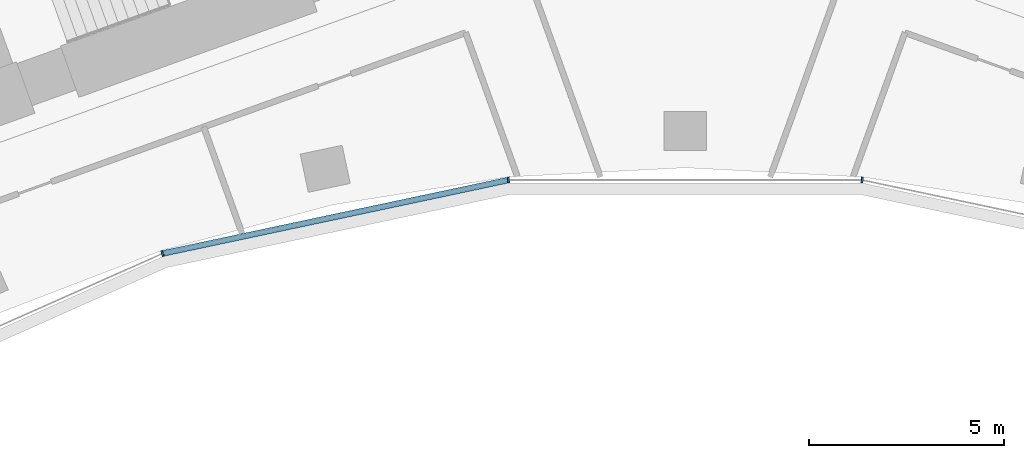
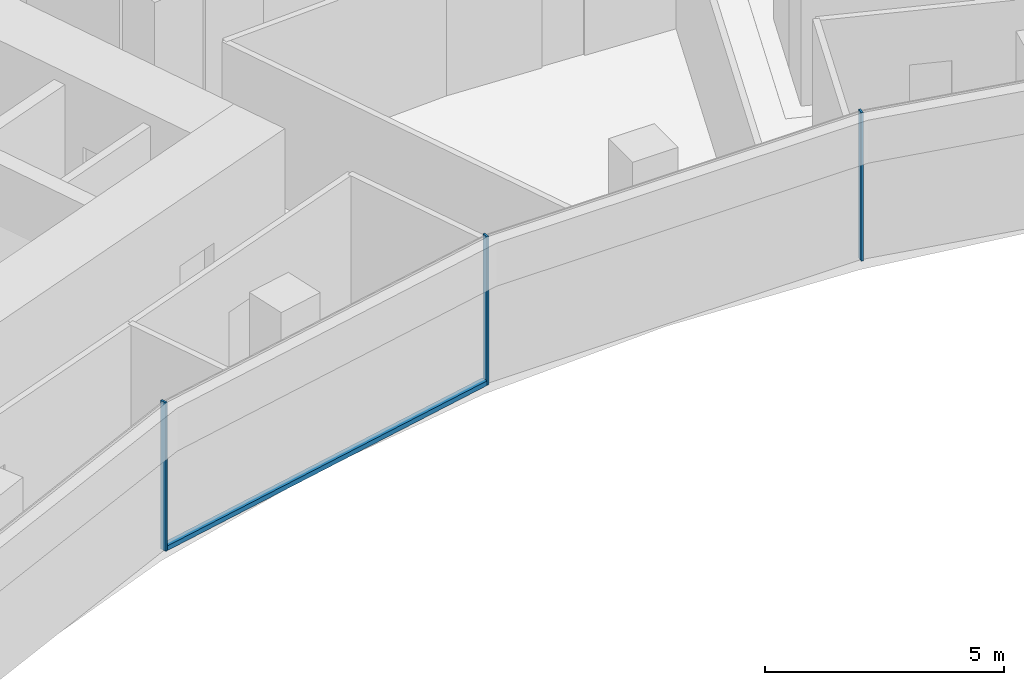
# One storey, part 5 of 20: 4 members, 1 element without a shape of its own.
"""IFC4 building model written with IfcOpenShell, lengths in metres."""

from ifc_helpers import new_model, si_unit, direction, frame, origin, origin_2d, place, context, subcontext, project, spatial, rectangle, extrude, material, layer, layer_set, material_profile, profile_set, type_object, element, aggregate, save


model = new_model("IFC4")

# Units and contexts
model_context = context("Model", 3, precision=1e-05, world=origin(), true_north=direction((0.0, 1.0)))
body_context = subcontext(model_context, "Body", "Model", "MODEL_VIEW")
ifc_project = project(units=[si_unit("LENGTHUNIT", "METRE"), si_unit("AREAUNIT", "SQUARE_METRE"), si_unit("VOLUMEUNIT", "CUBIC_METRE"), si_unit("PLANEANGLEUNIT", "RADIAN"), si_unit("MASSUNIT", "GRAM", prefix="KILO")], contexts=[model_context])

# Site, building, storey
site_placement = place(None, origin())
site = spatial("IfcSite", under=ifc_project, at=site_placement, CompositionType="ELEMENT")
building_placement = place(site_placement, origin())
building = spatial("IfcBuilding", under=site, at=building_placement, Name="Stone Belt Terrace Tower", CompositionType="ELEMENT")
storey_placement = place(building_placement, frame((0.0, 0.0, 174.39990234375)))
storey = spatial("IfcBuildingStorey", under=building, at=storey_placement, Name="L42", CompositionType="ELEMENT", Elevation=174.39990234375)

# Curtain wall, members
ifc_material = material(Name="Aluminium 6063-T6 anodised frame", Category="aluminium")
ifc_layer = layer(ifc_material, 0.14990234375)
ifc_layer_set = layer_set([ifc_layer], Name="CW-B unitised concave-face curtain wall")
curtain_wall_type = type_object("IfcCurtainWallType", Name="CW-B unitised concave-face curtain wall", PredefinedType="NOTDEFINED", material=ifc_layer_set)
curtain_wall_placement = place(storey_placement, origin())
curtain_wall = element("IfcCurtainWall", 1, at=curtain_wall_placement, inside=storey, type_object=curtain_wall_type, Name="CW-B concave face L42", PredefinedType="NOTDEFINED")
ifc_material_profile_1 = material_profile(ifc_material, rectangle(XDim=0.14990234375, YDim=0.050048828125, at=origin_2d()), Name="Aluminium 6063-T6 50x150")
ifc_profile_set_1 = profile_set([ifc_material_profile_1], Name="Aluminium 6063-T6 anodised frame")
member_type_1 = type_object("IfcMemberType", Name="CW-B mullion 50 x 150", PredefinedType="MULLION", material=ifc_profile_set_1)
member_1_placement = place(storey_placement, frame((-13.4189453125, 41.29931640625, 0.0), z_axis=(0.0, 0.0, 1.0), x_axis=(-0.309016994375, 0.951056516295, 0.0)))
member_1 = element("IfcMember", 2, at=member_1_placement, type_object=member_type_1, Name="CW-B mullion 4", PredefinedType="MULLION", context=body_context, shape_type="SweptSolid", body=[
    extrude(rectangle(XDim=0.14990234375, YDim=0.050048828125, at=origin_2d()), origin(), (0.0, 0.0, 1.0), 3.800048828125),
])
member_2_placement = place(storey_placement, frame((-4.5390625, 43.186767578125, 0.0), z_axis=(0.0, 0.0, 1.0), x_axis=(-0.104528463268, 0.994521895368, 0.0)))
member_2 = element("IfcMember", 3, at=member_2_placement, type_object=member_type_1, Name="CW-B mullion 5", PredefinedType="MULLION", context=body_context, shape_type="SweptSolid", body=[
    extrude(rectangle(XDim=0.14990234375, YDim=0.050048828125, at=origin_2d()), origin(), (0.0, 0.0, 1.0), 3.800048828125),
])
member_3_placement = place(storey_placement, frame((4.5390625, 43.186767578125, 0.0), z_axis=(0.0, 0.0, 1.0), x_axis=(0.104528463268, 0.994521895368, 0.0)))
member_3 = element("IfcMember", 4, at=member_3_placement, type_object=member_type_1, Name="CW-B mullion 6", PredefinedType="MULLION", context=body_context, shape_type="SweptSolid", body=[
    extrude(rectangle(XDim=0.14990234375, YDim=0.050048828125, at=origin_2d()), origin(), (0.0, 0.0, 1.0), 3.800048828125),
])
ifc_material_profile_2 = material_profile(ifc_material, rectangle(XDim=0.14990234375, YDim=0.1201171875, at=origin_2d()), Name="Aluminium 6063-T6 150x120")
ifc_profile_set_2 = profile_set([ifc_material_profile_2], Name="Aluminium 6063-T6 anodised frame")
member_type_2 = type_object("IfcMemberType", Name="CW-B transom 120 x 150", PredefinedType="USERDEFINED", material=ifc_profile_set_2)
member_4_placement = place(storey_placement, frame((-13.386962890625, 41.30615234375, 0.06005859375), z_axis=(0.9781499003, 0.207900871914, 0.0), x_axis=(-0.207900871914, 0.9781499003, 0.0)))
member_4 = element("IfcMember", 5, at=member_4_placement, type_object=member_type_2, Name="CW-B transom 4.1", ObjectType="TRANSOM", PredefinedType="USERDEFINED", context=body_context, shape_type="SweptSolid", body=[
    extrude(rectangle(XDim=0.14990234375, YDim=0.1201171875, at=origin_2d()), origin(), (0.0, 0.0, 1.0), 9.012939453125),
])
aggregate(curtain_wall, [member_1, member_2, member_3, member_4])

save(model, "model.ifc")
